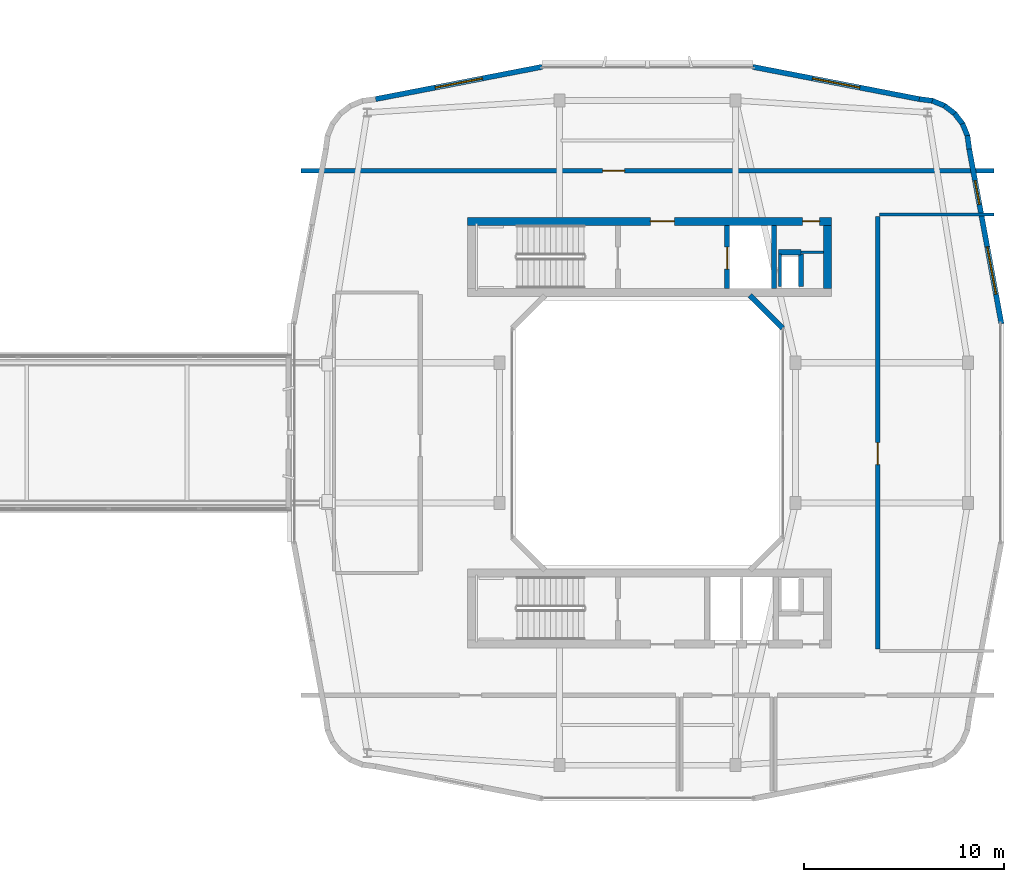
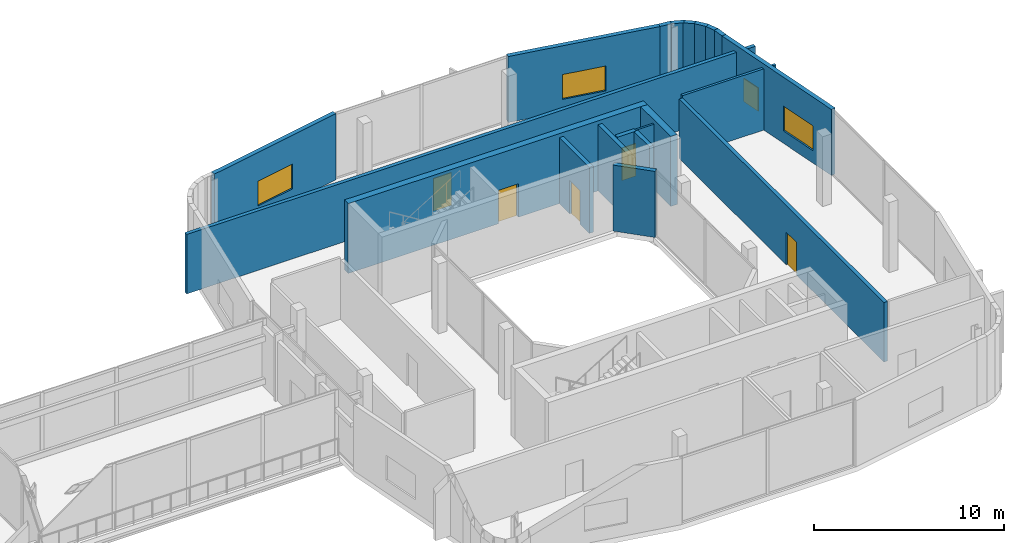
# One storey, part 18 of 24: 21 walls, 5 doors, 4 windows, 9 openings.
"""IFC4 building model written with IfcOpenShell, lengths in metres."""

from ifc_helpers import new_model, si_unit, derived_unit, direction, frame, frame_2d, origin, place, context, subcontext, project, spatial, rectangle, extrude, material, layer, layer_set, type_object, element, fill, save


model = new_model("IFC4")

# Units and contexts
model_context = context("Model", 3, precision=1e-05, world=origin(), true_north=direction((0.0, 1.0)))
body_context = subcontext(model_context, "Body", "Model", "MODEL_VIEW")
ifc_project = project(units=[si_unit("LENGTHUNIT", "METRE"), si_unit("AREAUNIT", "SQUARE_METRE"), si_unit("VOLUMEUNIT", "CUBIC_METRE"), si_unit("PLANEANGLEUNIT", "RADIAN"), si_unit("MASSUNIT", "GRAM", prefix="KILO"), derived_unit("THERMALTRANSMITTANCEUNIT", [(si_unit("POWERUNIT", "WATT"), 1), (si_unit("LENGTHUNIT", "METRE"), -2), (si_unit("THERMODYNAMICTEMPERATUREUNIT", "KELVIN"), -1)])], contexts=[model_context])

# Site, building, storey
site_placement = place(None, origin())
site = spatial("IfcSite", under=ifc_project, at=site_placement, CompositionType="ELEMENT")
building_placement = place(site_placement, origin())
building = spatial("IfcBuilding", under=site, at=building_placement, Name="Kivonza Crest Hotel", CompositionType="ELEMENT")
storey_placement = place(building_placement, frame((0.0, 0.0, 119.5)))
storey = spatial("IfcBuildingStorey", under=building, at=storey_placement, Name="L32", CompositionType="ELEMENT", Elevation=119.5)

# Wall, opening, door
ifc_material_1 = material(Name="Autoclaved aerated concrete blockwork", Category="masonry")
ifc_layer_1 = layer(ifc_material_1, 0.219970703125)
ifc_layer_set_1 = layer_set([ifc_layer_1], Name="Autoclaved aerated concrete blockwork")
wall_type_1 = type_object("IfcWallType", Name="WL-ACOU-220", PredefinedType="SOLIDWALL", material=ifc_layer_set_1)
wall_1_placement = place(storey_placement, frame((59.699951171875, 38.10009765625, 0.0), z_axis=(0.0, 0.0, 1.0), x_axis=(1.0, 0.0, 0.0)))
wall_1 = element("IfcWall", 1, at=wall_1_placement, inside=storey, type_object=wall_type_1, Name="L32 interior partition WA-L32-T2-SALON-S", PredefinedType="SOLIDWALL", context=body_context, shape_type="SweptSolid", body=[
    extrude(rectangle(XDim=34.60009765625, YDim=0.219970703125, at=frame_2d((17.300048828125, 0.0))), origin(), (0.0, 0.0, 1.0), 3.824951171875),
])
opening_1_placement = place(wall_1_placement, frame((15.06494140625, 0.0, 0.0)))
opening_1 = element("IfcOpeningElement", 2, at=opening_1_placement, cuts=wall_1, Name="Opening DF-60M", PredefinedType="OPENING", context=body_context, shape_type="SweptSolid", body=[
    extrude(rectangle(XDim=1.10009765625, YDim=2.10009765625, at=frame_2d((0.550048828125, 1.050048828125))), frame((0.0, 0.1201171875, 0.0), z_axis=(0.0, -1.0, 0.0), x_axis=(1.0, 0.0, 0.0)), (0.0, 0.0, 1.0), 0.239990234375),
])
ifc_material_2 = material(Name="Hardwood timber oak", Category="wood")
door_type_1 = type_object("IfcDoorType", Name="DR-FD60-1100", OperationType="NOTDEFINED", PredefinedType="DOOR", material=ifc_material_2)
door_1_placement = place(opening_1_placement, origin())
door_1 = element("IfcDoor", 3, at=door_1_placement, inside=storey, type_object=door_type_1, Name="L32 Resident Private Dining Salon door", OperationType="SINGLE_SWING_RIGHT", OverallHeight=2.10009765625, OverallWidth=1.10009765625, PredefinedType="DOOR", context=body_context, shape_type="SweptSolid", body=[
    extrude(rectangle(XDim=1.10009765625, YDim=2.10009765625, at=frame_2d((0.550048828125, 1.050048828125))), frame((0.0, 0.02490234375, 0.0), z_axis=(0.0, -1.0, 0.0), x_axis=(1.0, 0.0, 0.0)), (0.0, 0.0, 1.0), 0.050048828125),
])
fill(opening_1, door_1)

wall_2_placement = place(storey_placement, frame((88.5, 14.199951171875, 0.0), z_axis=(0.0, 0.0, 1.0), x_axis=(0.0, 1.0, 0.0)))
wall_2 = element("IfcWall", 4, at=wall_2_placement, inside=storey, type_object=wall_type_1, Name="L32 interior partition WA-L32-T2-EAST-W", PredefinedType="SOLIDWALL", context=body_context, shape_type="SweptSolid", body=[
    extrude(rectangle(XDim=21.60009765625, YDim=0.219970703125, at=frame_2d((10.800048828125, 0.0))), origin(), (0.0, 0.0, 1.0), 3.824951171875),
])
opening_2_placement = place(wall_2_placement, frame((9.215087890625, 0.0, 0.0)))
opening_2 = element("IfcOpeningElement", 5, at=opening_2_placement, cuts=wall_2, Name="Opening DF-60M", PredefinedType="OPENING", context=body_context, shape_type="SweptSolid", body=[
    extrude(rectangle(XDim=1.10009765625, YDim=2.10009765625, at=frame_2d((0.550048828125, 1.050048828125))), frame((0.0, 0.1201171875, 0.0), z_axis=(0.0, -1.0, 0.0), x_axis=(1.0, 0.0, 0.0)), (0.0, 0.0, 1.0), 0.239990234375),
])
door_2_placement = place(opening_2_placement, frame((1.10009765625, 0.0, 0.0), z_axis=(0.0, 0.0, 1.0), x_axis=(-1.0, 0.0, 0.0)))
door_2 = element("IfcDoor", 6, at=door_2_placement, inside=storey, type_object=door_type_1, Name="L32 Companion East Horizon Salon door", OperationType="SINGLE_SWING_LEFT", OverallHeight=2.10009765625, OverallWidth=1.10009765625, PredefinedType="DOOR", context=body_context, shape_type="SweptSolid", body=[
    extrude(rectangle(XDim=1.10009765625, YDim=2.10009765625, at=frame_2d((0.550048828125, 1.050048828125))), frame((0.0, 0.02490234375, 0.0), z_axis=(0.0, -1.0, 0.0), x_axis=(1.0, 0.0, 0.0)), (0.0, 0.0, 1.0), 0.050048828125),
])
fill(opening_2, door_2)

# Wall, openings, doors
ifc_material_3 = material(Name="Concrete C50/60", Category="concrete")
ifc_layer_2 = layer(ifc_material_3, 0.39990234375)
ifc_layer_set_2 = layer_set([ifc_layer_2], Name="Concrete C50/60")
wall_type_2 = type_object("IfcWallType", Name="WL-CORE-400", PredefinedType="SHEAR", material=ifc_layer_set_2)
wall_3_placement = place(storey_placement, frame((68.0, 35.56005859375, 0.0), z_axis=(0.0, 0.0, 1.0), x_axis=(1.0, 0.0, 0.0)))
wall_3 = element("IfcWall", 7, at=wall_3_placement, inside=storey, type_object=wall_type_2, Name="Core wall T2-N North L32", PredefinedType="SHEAR", context=body_context, shape_type="SweptSolid", body=[
    extrude(rectangle(XDim=18.199951171875, YDim=0.39990234375, at=frame_2d((9.10009765625, 0.0))), origin(), (0.0, 0.0, 1.0), 4.5),
])
opening_3_placement = place(wall_3_placement, frame((9.14990234375, 0.0, 0.0)))
opening_3 = element("IfcOpeningElement", 8, at=opening_3_placement, cuts=wall_3, Name="Opening DF-60", PredefinedType="OPENING", context=body_context, shape_type="SweptSolid", body=[
    extrude(rectangle(XDim=1.199951171875, YDim=2.14990234375, at=frame_2d((0.60009765625, 1.074951171875))), frame((0.0, 0.2099609375, 0.0), z_axis=(0.0, -1.0, 0.0), x_axis=(1.0, 0.0, 0.0)), (0.0, 0.0, 1.0), 0.419921875),
])
opening_4_placement = place(wall_3_placement, frame((16.75, 0.0, 0.0)))
opening_4 = element("IfcOpeningElement", 9, at=opening_4_placement, cuts=wall_3, Name="Opening DF-60R", PredefinedType="OPENING", context=body_context, shape_type="SweptSolid", body=[
    extrude(rectangle(XDim=0.85009765625, YDim=2.10009765625, at=frame_2d((0.425048828125, 1.050048828125))), frame((0.0, 0.2099609375, 0.0), z_axis=(0.0, -1.0, 0.0), x_axis=(1.0, 0.0, 0.0)), (0.0, 0.0, 1.0), 0.419921875),
])
door_type_2 = type_object("IfcDoorType", Name="DR-FD60-1200", OperationType="NOTDEFINED", PredefinedType="DOOR", material=ifc_material_2)
door_3_placement = place(opening_3_placement, origin())
door_3 = element("IfcDoor", 10, at=door_3_placement, inside=storey, type_object=door_type_2, Name="L32 T2-N firefighting lobby fire door", OperationType="SINGLE_SWING_RIGHT", OverallHeight=2.14990234375, OverallWidth=1.199951171875, PredefinedType="DOOR", context=body_context, shape_type="SweptSolid", body=[
    extrude(rectangle(XDim=1.199951171875, YDim=2.14990234375, at=frame_2d((0.60009765625, 1.074951171875))), frame((0.0, 0.02490234375, 0.0), z_axis=(0.0, -1.0, 0.0), x_axis=(1.0, 0.0, 0.0)), (0.0, 0.0, 1.0), 0.050048828125),
])
fill(opening_3, door_3)
door_type_3 = type_object("IfcDoorType", Name="DR-FD60-850", OperationType="NOTDEFINED", PredefinedType="DOOR", material=ifc_material_2)
door_4_placement = place(opening_4_placement, origin())
door_4 = element("IfcDoor", 11, at=door_4_placement, inside=storey, type_object=door_type_3, Name="L32 T2-N core room door", OperationType="SINGLE_SWING_RIGHT", OverallHeight=2.10009765625, OverallWidth=0.85009765625, PredefinedType="DOOR", context=body_context, shape_type="SweptSolid", body=[
    extrude(rectangle(XDim=0.85009765625, YDim=2.10009765625, at=frame_2d((0.425048828125, 1.050048828125))), frame((0.0, 0.02490234375, 0.0), z_axis=(0.0, -1.0, 0.0), x_axis=(1.0, 0.0, 0.0)), (0.0, 0.0, 1.0), 0.050048828125),
])
fill(opening_4, door_4)

# Wall
wall_4_placement = place(storey_placement, frame((86.0, 32.199951171875, 0.0), z_axis=(0.0, 0.0, 1.0), x_axis=(0.0, 1.0, 0.0)))
element("IfcWall", 12, at=wall_4_placement, inside=storey, type_object=wall_type_2, Name="Core wall T2-N East L32", PredefinedType="SHEAR", context=body_context, shape_type="SweptSolid", body=[
    extrude(rectangle(XDim=3.16015625, YDim=0.39990234375, at=frame_2d((1.580078125, 0.0))), origin(), (0.0, 0.0, 1.0), 4.5),
])

# Wall, openings, windows
ifc_material_4 = material(Name="Precast concrete C40/50", Category="concrete")
ifc_layer_3 = layer(ifc_material_4, 0.260009765625)
ifc_layer_set_3 = layer_set([ifc_layer_3], Name="Precast concrete C40/50")
wall_type_3 = type_object("IfcWallType", Name="WL-EXT-260", PredefinedType="STANDARD", material=ifc_layer_set_3)
wall_5_placement = place(storey_placement, frame((94.681884765625, 30.44189453125, 0.0), z_axis=(0.0, 0.0, 1.0), x_axis=(-0.181209963057, 0.983444431215, 0.0)))
wall_5 = element("IfcWall", 13, at=wall_5_placement, inside=storey, type_object=wall_type_3, Name="L32 T2 exterior insulated wall 18", PredefinedType="STANDARD", context=body_context, shape_type="SweptSolid", body=[
    extrude(rectangle(XDim=8.889404296875, YDim=0.260009765625, at=frame_2d((4.44482421875, 0.0))), origin(), (0.0, 0.0, 1.0), 4.25),
])
opening_5_placement = place(wall_5_placement, frame((1.514892578125, 0.0, 0.800048828125)))
opening_5 = element("IfcOpeningElement", 14, at=opening_5_placement, cuts=wall_5, Name="Opening WN-05", PredefinedType="OPENING", context=body_context, shape_type="SweptSolid", body=[
    extrude(rectangle(XDim=2.39990234375, YDim=1.60009765625, at=frame_2d((1.199951171875, 0.800048828125))), frame((0.0, 0.14013671875, 0.0), z_axis=(0.0, -1.0, 0.0), x_axis=(1.0, 0.0, 0.0)), (0.0, 0.0, 1.0), 0.280029296875),
])
opening_6_placement = place(wall_5_placement, frame((6.068115234375, 0.0, 0.85009765625)))
opening_6 = element("IfcOpeningElement", 15, at=opening_6_placement, cuts=wall_5, Name="Opening WN-01", PredefinedType="OPENING", context=body_context, shape_type="SweptSolid", body=[
    extrude(rectangle(XDim=1.199951171875, YDim=1.5, at=frame_2d((0.60009765625, 0.75))), frame((0.0, 0.14013671875, 0.0), z_axis=(0.0, -1.0, 0.0), x_axis=(1.0, 0.0, 0.0)), (0.0, 0.0, 1.0), 0.280029296875),
])
ifc_material_5 = material(Name="Thermally broken bronze aluminium and low-E double glazing", Category="aluminium")
window_type_1 = type_object("IfcWindowType", Name="WN-120x150", PartitioningType="SINGLE_PANEL", PredefinedType="WINDOW", material=ifc_material_5)
window_1_placement = place(opening_6_placement, origin())
window_1 = element("IfcWindow", 16, at=window_1_placement, inside=storey, type_object=window_type_1, Name="L32 T2 facade window 18 bay 2", OverallHeight=1.5, OverallWidth=1.199951171875, PartitioningType="SINGLE_PANEL", PredefinedType="WINDOW", context=body_context, shape_type="SweptSolid", body=[
    extrude(rectangle(XDim=1.199951171875, YDim=1.5, at=frame_2d((0.60009765625, 0.75))), frame((0.0, 0.030029296875, 0.0), z_axis=(0.0, -1.0, 0.0), x_axis=(1.0, 0.0, 0.0)), (0.0, 0.0, 1.0), 0.06005859375),
])
fill(opening_6, window_1)
window_type_2 = type_object("IfcWindowType", Name="WN-240x160", PartitioningType="TRIPLE_PANEL_VERTICAL", PredefinedType="WINDOW", material=ifc_material_5)
window_2_placement = place(opening_5_placement, origin())
window_2 = element("IfcWindow", 17, at=window_2_placement, inside=storey, type_object=window_type_2, Name="L32 T2 facade window 18 bay 1", OverallHeight=1.60009765625, OverallWidth=2.39990234375, PartitioningType="SINGLE_PANEL", PredefinedType="WINDOW", context=body_context, shape_type="SweptSolid", body=[
    extrude(rectangle(XDim=2.39990234375, YDim=1.60009765625, at=frame_2d((1.199951171875, 0.800048828125))), frame((0.0, 0.030029296875, 0.0), z_axis=(0.0, -1.0, 0.0), x_axis=(1.0, 0.0, 0.0)), (0.0, 0.0, 1.0), 0.06005859375),
])
fill(opening_5, window_2)

# Walls
wall_6_placement = place(storey_placement, frame((93.072021484375, 39.175048828125, 0.0), z_axis=(0.0, 0.0, 1.0), x_axis=(-0.131667498923, 0.991293937098, 0.0)))
element("IfcWall", 18, at=wall_6_placement, inside=storey, type_object=wall_type_3, Name="L32 T2 exterior insulated wall 19", PredefinedType="STANDARD", context=body_context, shape_type="SweptSolid", body=[
    extrude(rectangle(XDim=0.6767578125, YDim=0.260009765625, at=frame_2d((0.33837890625, 0.0))), origin(), (0.0, 0.0, 1.0), 4.25),
])
wall_7_placement = place(storey_placement, frame((93.0009765625, 39.800048828125, 0.0), z_axis=(0.0, 0.0, 1.0), x_axis=(-0.381988976935, 0.924166879681, 0.0)))
element("IfcWall", 19, at=wall_7_placement, inside=storey, type_object=wall_type_3, Name="L32 T2 exterior insulated wall 20", PredefinedType="STANDARD", context=body_context, shape_type="SweptSolid", body=[
    extrude(rectangle(XDim=0.693359375, YDim=0.260009765625, at=frame_2d((0.3466796875, 0.0))), origin(), (0.0, 0.0, 1.0), 4.25),
])
for number, where, z_axis, x_axis, name in (
    (20, (92.763916015625, 40.40087890625, 0.0), (0.0, 0.0, 1.0), (-0.609472651958, 0.792807092876, 0.0), "L32 T2 exterior insulated wall 21"),
    (21, (92.37890625, 40.919921875, 0.0), (0.0, 0.0, 1.0), (-0.792506234191, 0.609863811657, 0.0), "L32 T2 exterior insulated wall 22"),
):
    element("IfcWall", number, at=place(storey_placement, frame(where, z_axis=z_axis, x_axis=x_axis)), inside=storey, type_object=wall_type_3, Name=name, PredefinedType="STANDARD", context=body_context, shape_type="SweptSolid", body=[
        extrude(rectangle(XDim=0.69384765625, YDim=0.260009765625, at=frame_2d((0.346923828125, 0.0))), origin(), (0.0, 0.0, 1.0), 4.25),
    ])
wall_8_placement = place(storey_placement, frame((91.873046875, 41.322021484375, 0.0), z_axis=(0.0, 0.0, 1.0), x_axis=(-0.92421822618, 0.381864727877, 0.0)))
element("IfcWall", 22, at=wall_8_placement, inside=storey, type_object=wall_type_3, Name="L32 T2 exterior insulated wall 23", PredefinedType="STANDARD", context=body_context, shape_type="SweptSolid", body=[
    extrude(rectangle(XDim=0.693603515625, YDim=0.260009765625, at=frame_2d((0.3466796875, 0.0))), origin(), (0.0, 0.0, 1.0), 4.25),
])
wall_9_placement = place(storey_placement, frame((91.281005859375, 41.5791015625, 0.0), z_axis=(0.0, 0.0, 1.0), x_axis=(-0.991433279471, 0.130614135366, 0.0)))
element("IfcWall", 23, at=wall_9_placement, inside=storey, type_object=wall_type_3, Name="L32 T2 exterior insulated wall 24", PredefinedType="STANDARD", context=body_context, shape_type="SweptSolid", body=[
    extrude(rectangle(XDim=0.712158203125, YDim=0.260009765625, at=frame_2d((0.35595703125, 0.0))), origin(), (0.0, 0.0, 1.0), 4.25),
])

# Wall, opening, window
wall_10_placement = place(storey_placement, frame((90.5830078125, 41.669921875, 0.0), z_axis=(0.0, 0.0, 1.0), x_axis=(-0.981750199588, 0.190175039396, 0.0)))
wall_10 = element("IfcWall", 24, at=wall_10_placement, inside=storey, type_object=wall_type_3, Name="L32 T2 exterior insulated wall 25", PredefinedType="STANDARD", context=body_context, shape_type="SweptSolid", body=[
    extrude(rectangle(XDim=8.476806640625, YDim=0.260009765625, at=frame_2d((4.23828125, 0.0))), origin(), (0.0, 0.0, 1.0), 4.25),
])
opening_7_placement = place(wall_10_placement, frame((3.0380859375, 0.0, 0.800048828125)))
opening_7 = element("IfcOpeningElement", 25, at=opening_7_placement, cuts=wall_10, Name="Opening WN-05", PredefinedType="OPENING", context=body_context, shape_type="SweptSolid", body=[
    extrude(rectangle(XDim=2.39990234375, YDim=1.60009765625, at=frame_2d((1.199951171875, 0.800048828125))), frame((0.0, 0.14013671875, 0.0), z_axis=(0.0, -1.0, 0.0), x_axis=(1.0, 0.0, 0.0)), (0.0, 0.0, 1.0), 0.280029296875),
])
window_3_placement = place(opening_7_placement, origin())
window_3 = element("IfcWindow", 26, at=window_3_placement, inside=storey, type_object=window_type_2, Name="L32 T2 facade window 25", OverallHeight=1.60009765625, OverallWidth=2.39990234375, PartitioningType="SINGLE_PANEL", PredefinedType="WINDOW", context=body_context, shape_type="SweptSolid", body=[
    extrude(rectangle(XDim=2.39990234375, YDim=1.60009765625, at=frame_2d((1.199951171875, 0.800048828125))), frame((0.0, 0.030029296875, 0.0), z_axis=(0.0, -1.0, 0.0), x_axis=(1.0, 0.0, 0.0)), (0.0, 0.0, 1.0), 0.06005859375),
])
fill(opening_7, window_3)

wall_11_placement = place(storey_placement, frame((71.739013671875, 43.281982421875, 0.0), z_axis=(0.0, 0.0, 1.0), x_axis=(-0.981750199588, -0.190175039396, 0.0)))
wall_11 = element("IfcWall", 27, at=wall_11_placement, inside=storey, type_object=wall_type_3, Name="L32 T2 exterior insulated wall 27", PredefinedType="STANDARD", context=body_context, shape_type="SweptSolid", body=[
    extrude(rectangle(XDim=8.476806640625, YDim=0.260009765625, at=frame_2d((4.23828125, 0.0))), origin(), (0.0, 0.0, 1.0), 4.25),
])
opening_8_placement = place(wall_11_placement, frame((3.0380859375, 0.0, 0.800048828125)))
opening_8 = element("IfcOpeningElement", 28, at=opening_8_placement, cuts=wall_11, Name="Opening WN-05", PredefinedType="OPENING", context=body_context, shape_type="SweptSolid", body=[
    extrude(rectangle(XDim=2.39990234375, YDim=1.60009765625, at=frame_2d((1.199951171875, 0.800048828125))), frame((0.0, 0.14013671875, 0.0), z_axis=(0.0, -1.0, 0.0), x_axis=(1.0, 0.0, 0.0)), (0.0, 0.0, 1.0), 0.280029296875),
])
window_4_placement = place(opening_8_placement, origin())
window_4 = element("IfcWindow", 29, at=window_4_placement, inside=storey, type_object=window_type_2, Name="L32 T2 facade window 27", OverallHeight=1.60009765625, OverallWidth=2.39990234375, PartitioningType="SINGLE_PANEL", PredefinedType="WINDOW", context=body_context, shape_type="SweptSolid", body=[
    extrude(rectangle(XDim=2.39990234375, YDim=1.60009765625, at=frame_2d((1.199951171875, 0.800048828125))), frame((0.0, 0.030029296875, 0.0), z_axis=(0.0, -1.0, 0.0), x_axis=(1.0, 0.0, 0.0)), (0.0, 0.0, 1.0), 0.06005859375),
])
fill(opening_8, window_4)

# Walls
wall_12_placement = place(storey_placement, frame((83.756103515625, 30.22802734375, 0.0), z_axis=(0.0, 0.0, 1.0), x_axis=(-0.707106781187, 0.707106781187, 0.0)))
element("IfcWall", 30, at=wall_12_placement, inside=storey, type_object=wall_type_3, Name="L32 T2 light-well exterior wall 4", PredefinedType="STANDARD", context=body_context, shape_type="SweptSolid", body=[
    extrude(rectangle(XDim=2.310791015625, YDim=0.260009765625, at=frame_2d((1.1552734375, 0.0))), origin(), (0.0, 0.0, 1.0), 4.25),
])
ifc_material_6 = material(Name="Concrete blockwork fire-compartment wall", Category="masonry")
ifc_layer_4 = layer(ifc_material_6, 0.25)
ifc_layer_set_4 = layer_set([ifc_layer_4], Name="Concrete blockwork fire-compartment wall")
wall_type_4 = type_object("IfcWallType", Name="WL-FIRE-250", PredefinedType="SOLIDWALL", material=ifc_layer_set_4)
wall_13_placement = place(storey_placement, frame((84.679931640625, 32.300048828125, 0.0), z_axis=(0.0, 0.0, 1.0), x_axis=(0.0, 1.0, 0.0)))
element("IfcWall", 31, at=wall_13_placement, inside=storey, type_object=wall_type_4, Name="L32 interior partition WA-L32-T2-N-MEPR-E", PredefinedType="SOLIDWALL", context=body_context, shape_type="SweptSolid", body=[
    extrude(rectangle(XDim=1.619873046875, YDim=0.25, at=frame_2d((0.81005859375, 0.0))), origin(), (0.0, 0.0, 1.0), 4.219970703125),
])
wall_14_placement = place(storey_placement, frame((83.550048828125, 34.02001953125, 0.0), z_axis=(0.0, 0.0, 1.0), x_axis=(1.0, 0.0, 0.0)))
element("IfcWall", 32, at=wall_14_placement, inside=storey, type_object=wall_type_4, Name="L32 interior partition WA-L32-T2-N-MEPR-H", PredefinedType="SOLIDWALL", context=body_context, shape_type="SweptSolid", body=[
    extrude(rectangle(XDim=1.1298828125, YDim=0.25, at=frame_2d((0.56494140625, 0.0))), origin(), (0.0, 0.0, 1.0), 4.219970703125),
])
ifc_material_7 = material(Name="Metal-stud gypsum board partition", Category="gypsum")
ifc_layer_5 = layer(ifc_material_7, 0.125)
ifc_layer_set_5 = layer_set([ifc_layer_5], Name="Metal-stud gypsum board partition")
wall_type_5 = type_object("IfcWallType", Name="WL-PART-125", PredefinedType="PARTITIONING", material=ifc_layer_set_5)
wall_15_placement = place(storey_placement, frame((84.679931640625, 34.02001953125, 0.0), z_axis=(0.0, 0.0, 1.0), x_axis=(1.0, 0.0, 0.0)))
element("IfcWall", 33, at=wall_15_placement, inside=storey, type_object=wall_type_5, Name="L32 interior partition WP-L32-T2-N-T2H", PredefinedType="PARTITIONING", context=body_context, shape_type="SweptSolid", body=[
    extrude(rectangle(XDim=1.1201171875, YDim=0.125, at=frame_2d((0.56005859375, 0.0))), origin(), (0.0, 0.0, 1.0), 4.219970703125),
])
ifc_material_8 = material(Name="Twin-stud acoustic gypsum board partition", Category="gypsum")
ifc_layer_6 = layer(ifc_material_8, 0.14990234375)
ifc_layer_set_6 = layer_set([ifc_layer_6], Name="Twin-stud acoustic gypsum board partition")
wall_type_6 = type_object("IfcWallType", Name="WL-PART-150", PredefinedType="PARTITIONING", material=ifc_layer_set_6)
wall_16_placement = place(storey_placement, frame((83.6298828125, 32.300048828125, 0.0), z_axis=(0.0, 0.0, 1.0), x_axis=(0.0, 1.0, 0.0)))
element("IfcWall", 34, at=wall_16_placement, inside=storey, type_object=wall_type_6, Name="L32 interior partition WA-L32-T2-N-MEPR-W", PredefinedType="PARTITIONING", context=body_context, shape_type="SweptSolid", body=[
    extrude(rectangle(XDim=1.619873046875, YDim=0.14990234375, at=frame_2d((0.81005859375, 0.0))), origin(), (0.0, 0.0, 1.0), 3.824951171875),
])
wall_17_placement = place(storey_placement, frame((88.60009765625, 35.89990234375, 0.0), z_axis=(0.0, 0.0, 1.0), x_axis=(1.0, 0.0, 0.0)))
element("IfcWall", 35, at=wall_17_placement, inside=storey, type_object=wall_type_6, Name="L32 interior partition WP-L32-T2-EAST-BN", PredefinedType="PARTITIONING", context=body_context, shape_type="SweptSolid", body=[
    extrude(rectangle(XDim=5.699951171875, YDim=0.14990234375, at=frame_2d((2.85009765625, 0.0))), origin(), (0.0, 0.0, 1.0), 3.945068359375),
])

# Wall, opening, door
ifc_layer_7 = layer(ifc_material_3, 0.25)
ifc_layer_set_7 = layer_set([ifc_layer_7], Name="Concrete C50/60")
wall_type_7 = type_object("IfcWallType", Name="WL-SHAFT-250", PredefinedType="STANDARD", material=ifc_layer_set_7)
wall_18_placement = place(storey_placement, frame((80.97509765625, 32.199951171875, 0.0), z_axis=(0.0, 0.0, 1.0), x_axis=(0.0, 1.0, 0.0)))
wall_18 = element("IfcWall", 36, at=wall_18_placement, inside=storey, type_object=wall_type_7, Name="Core shaft wall T2-N FFL-W L32", PredefinedType="STANDARD", context=body_context, shape_type="SweptSolid", body=[
    extrude(rectangle(XDim=3.16015625, YDim=0.25, at=frame_2d((1.580078125, 0.0))), origin(), (0.0, 0.0, 1.0), 4.25),
])
opening_9_placement = place(wall_18_placement, frame((0.97998046875, 0.0, 0.0)))
opening_9 = element("IfcOpeningElement", 37, at=opening_9_placement, cuts=wall_18, Name="Opening LD-120", PredefinedType="OPENING", context=body_context, shape_type="SweptSolid", body=[
    extrude(rectangle(XDim=1.10009765625, YDim=2.14990234375, at=frame_2d((0.550048828125, 1.074951171875))), frame((0.0, 0.135009765625, 0.0), z_axis=(0.0, -1.0, 0.0), x_axis=(1.0, 0.0, 0.0)), (0.0, 0.0, 1.0), 0.27001953125),
])
ifc_material_9 = material(Name="Stainless steel", Category="steel")
door_type_4 = type_object("IfcDoorType", Name="DR-LD120-1100", OperationType="NOTDEFINED", PredefinedType="DOOR", material=ifc_material_9)
door_5_placement = place(opening_9_placement, origin())
door_5 = element("IfcDoor", 38, at=door_5_placement, inside=storey, type_object=door_type_4, Name="L32 FFL-T2 firefighting lift sliding landing door", OperationType="DOUBLE_DOOR_SLIDING", OverallHeight=2.14990234375, OverallWidth=1.10009765625, PredefinedType="DOOR", context=body_context, shape_type="SweptSolid", body=[
    extrude(rectangle(XDim=1.10009765625, YDim=2.14990234375, at=frame_2d((0.550048828125, 1.074951171875))), frame((0.0, 0.02490234375, 0.0), z_axis=(0.0, -1.0, 0.0), x_axis=(1.0, 0.0, 0.0)), (0.0, 0.0, 1.0), 0.050048828125),
])
fill(opening_9, door_5)

# Wall
wall_19_placement = place(storey_placement, frame((83.324951171875, 32.199951171875, 0.0), z_axis=(0.0, 0.0, 1.0), x_axis=(0.0, 1.0, 0.0)))
element("IfcWall", 39, at=wall_19_placement, inside=storey, type_object=wall_type_7, Name="Core shaft wall T2-N FFL-E L32", PredefinedType="STANDARD", context=body_context, shape_type="SweptSolid", body=[
    extrude(rectangle(XDim=3.16015625, YDim=0.25, at=frame_2d((1.580078125, 0.0))), origin(), (0.0, 0.0, 1.0), 4.25),
])

save(model, "model.ifc")
